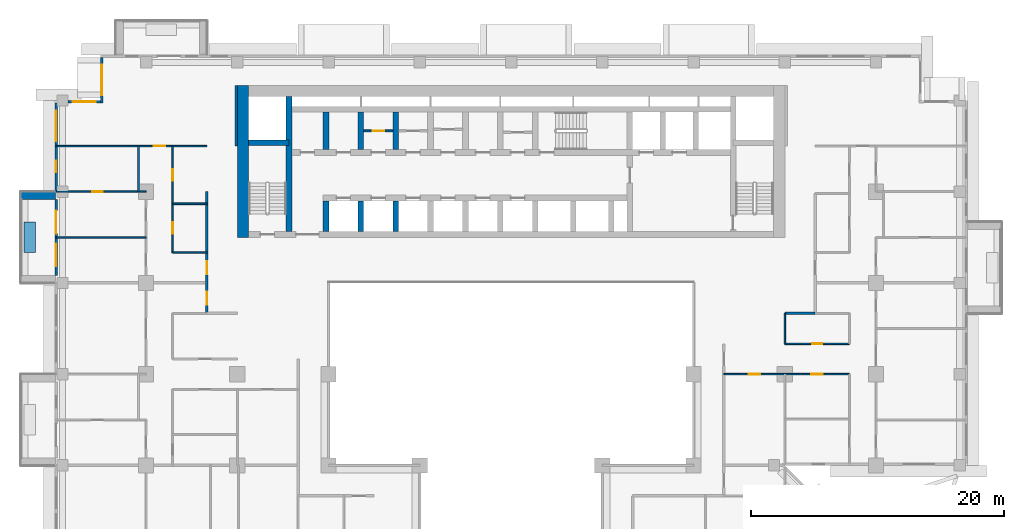
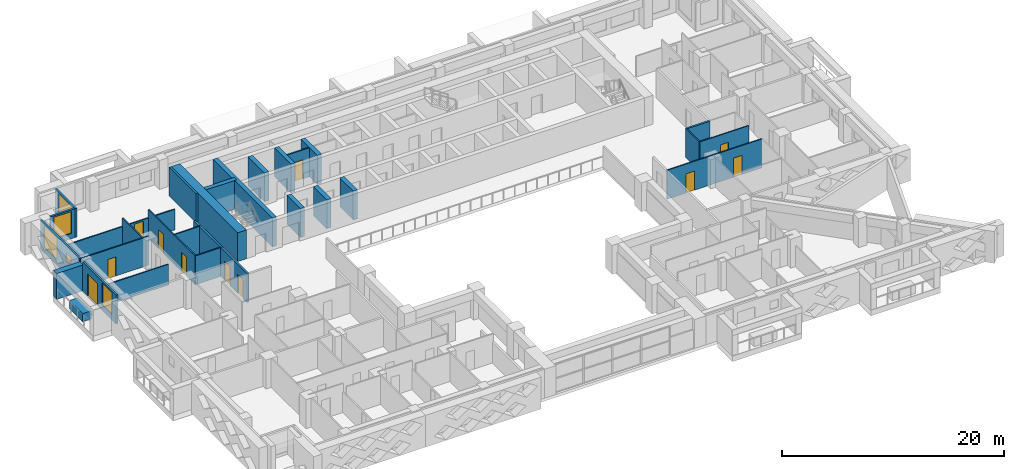
# One storey, part 9 of 17: 29 walls, 11 doors, 5 windows, 16 openings.
"""IFC4 building model written with IfcOpenShell, lengths in metres."""

from ifc_helpers import new_model, si_unit, direction, frame, frame_2d, origin, place, context, subcontext, project, spatial, rectangle, extrude, material, layer, layer_set, type_object, element, fill, save


model = new_model("IFC4")

# Units and contexts
model_context = context("Model", 3, precision=1e-05, world=origin(), true_north=direction((0.0, 1.0)))
body_context = subcontext(model_context, "Body", "Model", "MODEL_VIEW")
ifc_project = project(units=[si_unit("LENGTHUNIT", "METRE"), si_unit("AREAUNIT", "SQUARE_METRE"), si_unit("VOLUMEUNIT", "CUBIC_METRE"), si_unit("PLANEANGLEUNIT", "RADIAN"), si_unit("MASSUNIT", "GRAM", prefix="KILO")], contexts=[model_context])

# Site, building, storey
site_placement = place(None, origin())
site = spatial("IfcSite", under=ifc_project, at=site_placement, CompositionType="ELEMENT")
building_placement = place(site_placement, origin())
building = spatial("IfcBuilding", under=site, at=building_placement, Name="Saffron Iwan Residences", CompositionType="ELEMENT")
storey_placement = place(building_placement, frame((0.0, 0.0, 100.5)))
storey = spatial("IfcBuildingStorey", under=building, at=storey_placement, Name="L26", CompositionType="ELEMENT", Elevation=100.5)

# Walls
ifc_material_1 = material(Name="Concrete C50/60 white painted", Category="concrete")
ifc_layer_1 = layer(ifc_material_1, 0.60009765625)
ifc_layer_set_1 = layer_set([ifc_layer_1], Name="Concrete C50/60 white painted")
wall_type_1 = type_object("IfcWallType", Name="BALCONY FIN 600", PredefinedType="SOLIDWALL", material=ifc_layer_set_1)
wall_1_placement = place(storey_placement, frame((14.449951171875, 69.300048828125, 0.0), z_axis=(0.0, 0.0, 1.0), x_axis=(-1.0, 0.0, 0.0)))
element("IfcWall", 1, at=wall_1_placement, inside=storey, type_object=wall_type_1, Name="Balcony fin L26 F8-0a", PredefinedType="SOLIDWALL", context=body_context, shape_type="SweptSolid", body=[
    extrude(rectangle(XDim=2.75, YDim=0.60009765625, at=frame_2d((1.375, 0.0))), origin(), (0.0, 0.0, 1.0), 2.85009765625),
])
ifc_material_2 = material(Name="Concrete C35/45 white painted", Category="concrete")
ifc_layer_2 = layer(ifc_material_2, 0.14990234375)
ifc_layer_set_2 = layer_set([ifc_layer_2], Name="Concrete C35/45 white painted")
wall_type_2 = type_object("IfcWallType", Name="BALCONY PLANTER", PredefinedType="SOLIDWALL", material=ifc_layer_set_2)
wall_2_placement = place(storey_placement, frame((12.425048828125, 67.199951171875, 0.0), z_axis=(0.0, 0.0, 1.0), x_axis=(0.0, -1.0, 0.0)))
element("IfcWall", 2, at=wall_2_placement, inside=storey, type_object=wall_type_2, Name="PLANTER L26 F8-0", PredefinedType="SOLIDWALL", context=body_context, shape_type="SweptSolid", body=[
    extrude(rectangle(XDim=2.39990234375, YDim=0.89990234375, at=frame_2d((1.199951171875, 0.0))), origin(), (0.0, 0.0, 1.0), 0.89990234375),
])

# Wall, opening, door
ifc_material_3 = material(Name="Fire-rated plasterboard partition")
ifc_layer_3 = layer(ifc_material_3, 0.14990234375)
ifc_layer_set_3 = layer_set([ifc_layer_3], Name="Fire-rated plasterboard partition")
wall_type_3 = type_object("IfcWallType", Name="Core partition 150", PredefinedType="PARTITIONING", material=ifc_layer_set_3)
wall_3_placement = place(storey_placement, frame((38.77490234375, 74.39990234375, 0.0), z_axis=(0.0, 0.0, 1.0), x_axis=(1.0, 0.0, 0.0)))
wall_3 = element("IfcWall", 3, at=wall_3_placement, inside=storey, type_object=wall_type_3, Name="Core partition P01", PredefinedType="PARTITIONING", context=body_context, shape_type="SweptSolid", body=[
    extrude(rectangle(XDim=2.300048828125, YDim=0.14990234375, at=frame_2d((1.14990234375, 0.0))), origin(), (0.0, 0.0, 1.0), 3.179931640625),
])
opening_1_placement = place(wall_3_placement, frame((0.699951171875, 0.0, 0.0)))
opening_1 = element("IfcOpeningElement", 4, at=opening_1_placement, cuts=wall_3, Name="Opening SB", PredefinedType="OPENING", context=body_context, shape_type="SweptSolid", body=[
    extrude(rectangle(XDim=0.89990234375, YDim=2.10009765625, at=frame_2d((0.449951171875, 1.050048828125))), frame((0.0, 0.0849609375, 0.0), z_axis=(0.0, -1.0, 0.0), x_axis=(1.0, 0.0, 0.0)), (0.0, 0.0, 1.0), 0.169921875),
])
ifc_material_4 = material(Name="Steel fire door", Category="steel")
door_type_1 = type_object("IfcDoorType", Name="Store door 900", OperationType="NOTDEFINED", PredefinedType="DOOR", material=ifc_material_4)
door_1_placement = place(opening_1_placement, origin())
door_1 = element("IfcDoor", 5, at=door_1_placement, inside=storey, type_object=door_type_1, Name="Door Records store", OperationType="SINGLE_SWING_RIGHT", OverallHeight=2.10009765625, OverallWidth=0.89990234375, PredefinedType="DOOR", context=body_context, shape_type="SweptSolid", body=[
    extrude(rectangle(XDim=0.89990234375, YDim=2.10009765625, at=frame_2d((0.449951171875, 1.050048828125))), frame((0.0, 0.02490234375, 0.0), z_axis=(0.0, -1.0, 0.0), x_axis=(1.0, 0.0, 0.0)), (0.0, 0.0, 1.0), 0.050048828125),
])
fill(opening_1, door_1)

# Wall, opening, window
ifc_material_5 = material(Name="Concrete C40/50", Category="concrete")
ifc_layer_4 = layer(ifc_material_5, 0.199951171875)
ifc_layer_set_4 = layer_set([ifc_layer_4], Name="Concrete C40/50")
wall_type_4 = type_object("IfcWallType", Name="EXTERNAL WALL 200", PredefinedType="SOLIDWALL", material=ifc_layer_set_4)
wall_4_placement = place(storey_placement, frame((18.10009765625, 80.199951171875, 0.0), z_axis=(0.0, 0.0, 1.0), x_axis=(0.0, -1.0, 0.0)))
wall_4 = element("IfcWall", 6, at=wall_4_placement, inside=storey, type_object=wall_type_4, Name="External wall L26 F6.0", PredefinedType="SOLIDWALL", context=body_context, shape_type="SweptSolid", body=[
    extrude(rectangle(XDim=3.599853515625, YDim=0.199951171875, at=frame_2d((1.7998046875, 0.0))), origin(), (0.0, 0.0, 1.0), 3.179931640625),
])
opening_2_placement = place(wall_4_placement, frame((0.60009765625, 0.0, 0.60009765625)))
opening_2 = element("IfcOpeningElement", 7, at=opening_2_placement, cuts=wall_4, Name="Opening W1", PredefinedType="OPENING", context=body_context, shape_type="SweptSolid", body=[
    extrude(rectangle(XDim=2.39990234375, YDim=2.39990234375, at=frame_2d((1.199951171875, 1.199951171875))), frame((0.0, 0.10986328125, 0.0), z_axis=(0.0, -1.0, 0.0), x_axis=(1.0, 0.0, 0.0)), (0.0, 0.0, 1.0), 0.219970703125),
])
ifc_material_6 = material(Name="Clear glass, laminated double glazed", Category="glass")
window_type_1 = type_object("IfcWindowType", Name="WINDOW 2400 x 2400", PartitioningType="DOUBLE_PANEL_VERTICAL", PredefinedType="WINDOW", material=ifc_material_6)
window_1_placement = place(opening_2_placement, origin())
window_1 = element("IfcWindow", 8, at=window_1_placement, inside=storey, type_object=window_type_1, Name="Window L26 F6.0", OverallHeight=2.39990234375, OverallWidth=2.39990234375, PartitioningType="DOUBLE_PANEL_VERTICAL", PredefinedType="WINDOW", context=body_context, shape_type="SweptSolid", body=[
    extrude(rectangle(XDim=2.39990234375, YDim=2.39990234375, at=frame_2d((1.199951171875, 1.199951171875))), frame((0.0, 0.030029296875, 0.0), z_axis=(0.0, -1.0, 0.0), x_axis=(1.0, 0.0, 0.0)), (0.0, 0.0, 1.0), 0.06005859375),
])
fill(opening_2, window_1)

wall_5_placement = place(storey_placement, frame((18.0, 76.699951171875, 0.0), z_axis=(0.0, 0.0, 1.0), x_axis=(-1.0, 0.0, 0.0)))
wall_5 = element("IfcWall", 9, at=wall_5_placement, inside=storey, type_object=wall_type_4, Name="External wall L26 F7.0", PredefinedType="SOLIDWALL", context=body_context, shape_type="SweptSolid", body=[
    extrude(rectangle(XDim=2.550048828125, YDim=0.199951171875, at=frame_2d((1.27490234375, 0.0))), origin(), (0.0, 0.0, 1.0), 3.179931640625),
])
opening_3_placement = place(wall_5_placement, frame((0.375, 0.0, 0.60009765625)))
opening_3 = element("IfcOpeningElement", 10, at=opening_3_placement, cuts=wall_5, Name="Opening W8", PredefinedType="OPENING", context=body_context, shape_type="SweptSolid", body=[
    extrude(rectangle(XDim=1.800048828125, YDim=2.39990234375, at=frame_2d((0.89990234375, 1.199951171875))), frame((0.0, 0.10986328125, 0.0), z_axis=(0.0, -1.0, 0.0), x_axis=(1.0, 0.0, 0.0)), (0.0, 0.0, 1.0), 0.219970703125),
])
window_type_2 = type_object("IfcWindowType", Name="WINDOW 1800 x 2400", PartitioningType="DOUBLE_PANEL_VERTICAL", PredefinedType="WINDOW", material=ifc_material_6)
window_2_placement = place(opening_3_placement, origin())
window_2 = element("IfcWindow", 11, at=window_2_placement, inside=storey, type_object=window_type_2, Name="Window L26 F7.0", OverallHeight=2.39990234375, OverallWidth=1.800048828125, PartitioningType="DOUBLE_PANEL_VERTICAL", PredefinedType="WINDOW", context=body_context, shape_type="SweptSolid", body=[
    extrude(rectangle(XDim=1.800048828125, YDim=2.39990234375, at=frame_2d((0.89990234375, 1.199951171875))), frame((0.0, 0.030029296875, 0.0), z_axis=(0.0, -1.0, 0.0), x_axis=(1.0, 0.0, 0.0)), (0.0, 0.0, 1.0), 0.06005859375),
])
fill(opening_3, window_2)

# Wall, openings, windows
wall_6_placement = place(storey_placement, frame((14.5, 76.60009765625, 0.0), z_axis=(0.0, 0.0, 1.0), x_axis=(0.0, -1.0, 0.0)))
wall_6 = element("IfcWall", 12, at=wall_6_placement, inside=storey, type_object=wall_type_4, Name="External wall L26 F8.0", PredefinedType="SOLIDWALL", context=body_context, shape_type="SweptSolid", body=[
    extrude(rectangle(XDim=7.0, YDim=0.199951171875, at=frame_2d((3.5, 0.0))), origin(), (0.0, 0.0, 1.0), 3.179931640625),
])
opening_4_placement = place(wall_6_placement, frame((4.550048828125, 0.0, 1.5)))
opening_4 = element("IfcOpeningElement", 13, at=opening_4_placement, cuts=wall_6, Name="Opening W6", PredefinedType="OPENING", context=body_context, shape_type="SweptSolid", body=[
    extrude(rectangle(XDim=0.89990234375, YDim=0.89990234375, at=frame_2d((0.449951171875, 0.449951171875))), frame((0.0, 0.10986328125, 0.0), z_axis=(0.0, -1.0, 0.0), x_axis=(1.0, 0.0, 0.0)), (0.0, 0.0, 1.0), 0.219970703125),
])
opening_5_placement = place(wall_6_placement, frame((0.60009765625, 0.0, 0.60009765625)))
opening_5 = element("IfcOpeningElement", 14, at=opening_5_placement, cuts=wall_6, Name="Opening W1", PredefinedType="OPENING", context=body_context, shape_type="SweptSolid", body=[
    extrude(rectangle(XDim=2.39990234375, YDim=2.39990234375, at=frame_2d((1.199951171875, 1.199951171875))), frame((0.0, 0.10986328125, 0.0), z_axis=(0.0, -1.0, 0.0), x_axis=(1.0, 0.0, 0.0)), (0.0, 0.0, 1.0), 0.219970703125),
])
window_3_placement = place(opening_5_placement, origin())
window_3 = element("IfcWindow", 15, at=window_3_placement, inside=storey, type_object=window_type_1, Name="Window L26 F8.1", OverallHeight=2.39990234375, OverallWidth=2.39990234375, PartitioningType="DOUBLE_PANEL_VERTICAL", PredefinedType="WINDOW", context=body_context, shape_type="SweptSolid", body=[
    extrude(rectangle(XDim=2.39990234375, YDim=2.39990234375, at=frame_2d((1.199951171875, 1.199951171875))), frame((0.0, 0.030029296875, 0.0), z_axis=(0.0, -1.0, 0.0), x_axis=(1.0, 0.0, 0.0)), (0.0, 0.0, 1.0), 0.06005859375),
])
fill(opening_5, window_3)
window_type_3 = type_object("IfcWindowType", Name="WINDOW 900 x 900 BATH", PartitioningType="SINGLE_PANEL", PredefinedType="WINDOW", material=ifc_material_6)
window_4_placement = place(opening_4_placement, origin())
window_4 = element("IfcWindow", 16, at=window_4_placement, inside=storey, type_object=window_type_3, Name="Window L26 F8.0", OverallHeight=0.89990234375, OverallWidth=0.89990234375, PartitioningType="SINGLE_PANEL", PredefinedType="WINDOW", context=body_context, shape_type="SweptSolid", body=[
    extrude(rectangle(XDim=0.89990234375, YDim=0.89990234375, at=frame_2d((0.449951171875, 0.449951171875))), frame((0.0, 0.030029296875, 0.0), z_axis=(0.0, -1.0, 0.0), x_axis=(1.0, 0.0, 0.0)), (0.0, 0.0, 1.0), 0.06005859375),
])
fill(opening_4, window_4)

# Wall, openings, door, window
wall_7_placement = place(storey_placement, frame((14.5, 69.0, 0.0), z_axis=(0.0, 0.0, 1.0), x_axis=(0.0, -1.0, 0.0)))
wall_7 = element("IfcWall", 17, at=wall_7_placement, inside=storey, type_object=wall_type_4, Name="External wall L26 F8.1", PredefinedType="SOLIDWALL", context=body_context, shape_type="SweptSolid", body=[
    extrude(rectangle(XDim=6.0, YDim=0.199951171875, at=frame_2d((3.0, 0.0))), origin(), (0.0, 0.0, 1.0), 3.179931640625),
])
opening_6_placement = place(wall_7_placement, frame((0.89990234375, 0.0, 0.0)))
opening_6 = element("IfcOpeningElement", 18, at=opening_6_placement, cuts=wall_7, Name="Opening BD1", PredefinedType="OPENING", context=body_context, shape_type="SweptSolid", body=[
    extrude(rectangle(XDim=1.800048828125, YDim=2.39990234375, at=frame_2d((0.89990234375, 1.199951171875))), frame((0.0, 0.10986328125, 0.0), z_axis=(0.0, -1.0, 0.0), x_axis=(1.0, 0.0, 0.0)), (0.0, 0.0, 1.0), 0.219970703125),
])
opening_7_placement = place(wall_7_placement, frame((3.5, 0.0, 0.60009765625)))
opening_7 = element("IfcOpeningElement", 19, at=opening_7_placement, cuts=wall_7, Name="Opening W8", PredefinedType="OPENING", context=body_context, shape_type="SweptSolid", body=[
    extrude(rectangle(XDim=1.800048828125, YDim=2.39990234375, at=frame_2d((0.89990234375, 1.199951171875))), frame((0.0, 0.10986328125, 0.0), z_axis=(0.0, -1.0, 0.0), x_axis=(1.0, 0.0, 0.0)), (0.0, 0.0, 1.0), 0.219970703125),
])
door_type_2 = type_object("IfcDoorType", Name="BALCONY DOOR 1800 x 2400", OperationType="DOUBLE_DOOR_SLIDING", PredefinedType="DOOR", material=ifc_material_6)
door_2_placement = place(opening_6_placement, origin())
door_2 = element("IfcDoor", 20, at=door_2_placement, inside=storey, type_object=door_type_2, Name="Balcony door L26 F8.0", OperationType="DOUBLE_DOOR_SLIDING", OverallHeight=2.39990234375, OverallWidth=1.800048828125, PredefinedType="DOOR", context=body_context, shape_type="SweptSolid", body=[
    extrude(rectangle(XDim=1.800048828125, YDim=2.39990234375, at=frame_2d((0.89990234375, 1.199951171875))), frame((0.0, 0.02490234375, 0.0), z_axis=(0.0, -1.0, 0.0), x_axis=(1.0, 0.0, 0.0)), (0.0, 0.0, 1.0), 0.050048828125),
])
fill(opening_6, door_2)
window_5_placement = place(opening_7_placement, origin())
window_5 = element("IfcWindow", 21, at=window_5_placement, inside=storey, type_object=window_type_2, Name="Window L26 F8.1", OverallHeight=2.39990234375, OverallWidth=1.800048828125, PartitioningType="DOUBLE_PANEL_VERTICAL", PredefinedType="WINDOW", context=body_context, shape_type="SweptSolid", body=[
    extrude(rectangle(XDim=1.800048828125, YDim=2.39990234375, at=frame_2d((0.89990234375, 1.199951171875))), frame((0.0, 0.030029296875, 0.0), z_axis=(0.0, -1.0, 0.0), x_axis=(1.0, 0.0, 0.0)), (0.0, 0.0, 1.0), 0.06005859375),
])
fill(opening_7, window_5)

# Wall, openings, doors
ifc_material_7 = material(Name="Gypsum board partition")
ifc_layer_5 = layer(ifc_material_7, 0.1201171875)
ifc_layer_set_5 = layer_set([ifc_layer_5], Name="Gypsum board partition")
wall_type_5 = type_object("IfcWallType", Name="Flat partition 120", PredefinedType="PARTITIONING", material=ifc_layer_set_5)
wall_8_placement = place(storey_placement, frame((67.199951171875, 55.199951171875, 0.0), z_axis=(0.0, 0.0, 1.0), x_axis=(1.0, 0.0, 0.0)))
wall_8 = element("IfcWall", 22, at=wall_8_placement, inside=storey, type_object=wall_type_5, Name="W-L26-PART-h55.2-67.2", PredefinedType="PARTITIONING", context=body_context, shape_type="SweptSolid", body=[
    extrude(rectangle(XDim=9.900146484375, YDim=0.1201171875, at=frame_2d((4.9501953125, 0.0))), origin(), (0.0, 0.0, 1.0), 3.179931640625),
])
opening_8_placement = place(wall_8_placement, frame((6.89990234375, 0.0, 0.0)))
opening_8 = element("IfcOpeningElement", 23, at=opening_8_placement, cuts=wall_8, Name="Opening FD2", PredefinedType="OPENING", context=body_context, shape_type="SweptSolid", body=[
    extrude(rectangle(XDim=0.89990234375, YDim=2.10009765625, at=frame_2d((0.449951171875, 1.050048828125))), frame((0.0, 0.070068359375, 0.0), z_axis=(0.0, -1.0, 0.0), x_axis=(1.0, 0.0, 0.0)), (0.0, 0.0, 1.0), 0.14013671875),
])
opening_9_placement = place(wall_8_placement, frame((1.949951171875, 0.0, 0.0)))
opening_9 = element("IfcOpeningElement", 24, at=opening_9_placement, cuts=wall_8, Name="Opening FD2", PredefinedType="OPENING", context=body_context, shape_type="SweptSolid", body=[
    extrude(rectangle(XDim=0.89990234375, YDim=2.10009765625, at=frame_2d((0.449951171875, 1.050048828125))), frame((0.0, 0.070068359375, 0.0), z_axis=(0.0, -1.0, 0.0), x_axis=(1.0, 0.0, 0.0)), (0.0, 0.0, 1.0), 0.14013671875),
])
ifc_material_8 = material(Name="Timber door", Category="wood")
door_type_3 = type_object("IfcDoorType", Name="Flat door 900", OperationType="NOTDEFINED", PredefinedType="DOOR", material=ifc_material_8)
door_3_placement = place(opening_8_placement, origin())
door_3 = element("IfcDoor", 25, at=door_3_placement, inside=storey, type_object=door_type_3, Name="Door L26-025", OperationType="SINGLE_SWING_LEFT", OverallHeight=2.10009765625, OverallWidth=0.89990234375, PredefinedType="DOOR", context=body_context, shape_type="SweptSolid", body=[
    extrude(rectangle(XDim=0.89990234375, YDim=2.10009765625, at=frame_2d((0.449951171875, 1.050048828125))), frame((0.0, 0.02490234375, 0.0), z_axis=(0.0, -1.0, 0.0), x_axis=(1.0, 0.0, 0.0)), (0.0, 0.0, 1.0), 0.050048828125),
])
fill(opening_8, door_3)
door_4_placement = place(opening_9_placement, origin())
door_4 = element("IfcDoor", 26, at=door_4_placement, inside=storey, type_object=door_type_3, Name="Door L26-027", OperationType="SINGLE_SWING_LEFT", OverallHeight=2.10009765625, OverallWidth=0.89990234375, PredefinedType="DOOR", context=body_context, shape_type="SweptSolid", body=[
    extrude(rectangle(XDim=0.89990234375, YDim=2.10009765625, at=frame_2d((0.449951171875, 1.050048828125))), frame((0.0, 0.02490234375, 0.0), z_axis=(0.0, -1.0, 0.0), x_axis=(1.0, 0.0, 0.0)), (0.0, 0.0, 1.0), 0.050048828125),
])
fill(opening_9, door_4)

# Wall, opening, door
wall_9_placement = place(storey_placement, frame((72.0, 57.60009765625, 0.0), z_axis=(0.0, 0.0, 1.0), x_axis=(1.0, 0.0, 0.0)))
wall_9 = element("IfcWall", 27, at=wall_9_placement, inside=storey, type_object=wall_type_5, Name="W-L26-PART-h57.6-72", PredefinedType="PARTITIONING", context=body_context, shape_type="SweptSolid", body=[
    extrude(rectangle(XDim=5.10009765625, YDim=0.1201171875, at=frame_2d((2.550048828125, 0.0))), origin(), (0.0, 0.0, 1.0), 3.179931640625),
])
opening_10_placement = place(wall_9_placement, frame((2.14990234375, 0.0, 0.0)))
opening_10 = element("IfcOpeningElement", 28, at=opening_10_placement, cuts=wall_9, Name="Opening FD3", PredefinedType="OPENING", context=body_context, shape_type="SweptSolid", body=[
    extrude(rectangle(XDim=0.800048828125, YDim=2.10009765625, at=frame_2d((0.39990234375, 1.050048828125))), frame((0.0, 0.070068359375, 0.0), z_axis=(0.0, -1.0, 0.0), x_axis=(1.0, 0.0, 0.0)), (0.0, 0.0, 1.0), 0.14013671875),
])
door_type_4 = type_object("IfcDoorType", Name="Bathroom door 800", OperationType="NOTDEFINED", PredefinedType="DOOR", material=ifc_material_8)
door_5_placement = place(opening_10_placement, origin())
door_5 = element("IfcDoor", 29, at=door_5_placement, inside=storey, type_object=door_type_4, Name="Door L26-026", OperationType="SINGLE_SWING_RIGHT", OverallHeight=2.10009765625, OverallWidth=0.800048828125, PredefinedType="DOOR", context=body_context, shape_type="SweptSolid", body=[
    extrude(rectangle(XDim=0.800048828125, YDim=2.10009765625, at=frame_2d((0.39990234375, 1.050048828125))), frame((0.0, 0.02490234375, 0.0), z_axis=(0.0, -1.0, 0.0), x_axis=(1.0, 0.0, 0.0)), (0.0, 0.0, 1.0), 0.050048828125),
])
fill(opening_10, door_5)

# Walls
wall_10_placement = place(storey_placement, frame((23.699951171875, 64.800048828125, 0.0), z_axis=(0.0, 0.0, 1.0), x_axis=(1.0, 0.0, 0.0)))
element("IfcWall", 30, at=wall_10_placement, inside=storey, type_object=wall_type_5, Name="W-L26-PART-h64.8-23.7", PredefinedType="PARTITIONING", context=body_context, shape_type="SweptSolid", body=[
    extrude(rectangle(XDim=2.699951171875, YDim=0.1201171875, at=frame_2d((1.35009765625, 0.0))), origin(), (0.0, 0.0, 1.0), 3.179931640625),
])
wall_11_placement = place(storey_placement, frame((14.52490234375, 66.0, 0.0), z_axis=(0.0, 0.0, 1.0), x_axis=(1.0, 0.0, 0.0)))
element("IfcWall", 31, at=wall_11_placement, inside=storey, type_object=wall_type_5, Name="W-L26-PART-h66-14.525", PredefinedType="PARTITIONING", context=body_context, shape_type="SweptSolid", body=[
    extrude(rectangle(XDim=7.0751953125, YDim=0.1201171875, at=frame_2d((3.53759765625, 0.0))), origin(), (0.0, 0.0, 1.0), 2.280029296875),
])
wall_12_placement = place(storey_placement, frame((23.699951171875, 68.64990234375, 0.0), z_axis=(0.0, 0.0, 1.0), x_axis=(1.0, 0.0, 0.0)))
element("IfcWall", 32, at=wall_12_placement, inside=storey, type_object=wall_type_5, Name="W-L26-PART-h68.65-23.7", PredefinedType="PARTITIONING", context=body_context, shape_type="SweptSolid", body=[
    extrude(rectangle(XDim=2.699951171875, YDim=0.1201171875, at=frame_2d((1.35009765625, 0.0))), origin(), (0.0, 0.0, 1.0), 3.179931640625),
])

# Wall, opening, door
wall_13_placement = place(storey_placement, frame((14.52490234375, 69.60009765625, 0.0), z_axis=(0.0, 0.0, 1.0), x_axis=(1.0, 0.0, 0.0)))
wall_13 = element("IfcWall", 33, at=wall_13_placement, inside=storey, type_object=wall_type_5, Name="W-L26-PART-h69.6-14.525", PredefinedType="PARTITIONING", context=body_context, shape_type="SweptSolid", body=[
    extrude(rectangle(XDim=7.0751953125, YDim=0.1201171875, at=frame_2d((3.53759765625, 0.0))), origin(), (0.0, 0.0, 1.0), 3.179931640625),
])
opening_11_placement = place(wall_13_placement, frame((2.83740234375, 0.0, 0.0)))
opening_11 = element("IfcOpeningElement", 34, at=opening_11_placement, cuts=wall_13, Name="Opening FD3", PredefinedType="OPENING", context=body_context, shape_type="SweptSolid", body=[
    extrude(rectangle(XDim=0.800048828125, YDim=2.10009765625, at=frame_2d((0.39990234375, 1.050048828125))), frame((0.0, 0.070068359375, 0.0), z_axis=(0.0, -1.0, 0.0), x_axis=(1.0, 0.0, 0.0)), (0.0, 0.0, 1.0), 0.14013671875),
])
door_6_placement = place(opening_11_placement, origin())
door_6 = element("IfcDoor", 35, at=door_6_placement, inside=storey, type_object=door_type_4, Name="Door L26-031", OperationType="SINGLE_SWING_LEFT", OverallHeight=2.10009765625, OverallWidth=0.800048828125, PredefinedType="DOOR", context=body_context, shape_type="SweptSolid", body=[
    extrude(rectangle(XDim=0.800048828125, YDim=2.10009765625, at=frame_2d((0.39990234375, 1.050048828125))), frame((0.0, 0.02490234375, 0.0), z_axis=(0.0, -1.0, 0.0), x_axis=(1.0, 0.0, 0.0)), (0.0, 0.0, 1.0), 0.050048828125),
])
fill(opening_11, door_6)

wall_14_placement = place(storey_placement, frame((14.52490234375, 73.199951171875, 0.0), z_axis=(0.0, 0.0, 1.0), x_axis=(1.0, 0.0, 0.0)))
wall_14 = element("IfcWall", 36, at=wall_14_placement, inside=storey, type_object=wall_type_5, Name="W-L26-PART-h73.2-14.525", PredefinedType="PARTITIONING", context=body_context, shape_type="SweptSolid", body=[
    extrude(rectangle(XDim=11.875, YDim=0.1201171875, at=frame_2d((5.9375, 0.0))), origin(), (0.0, 0.0, 1.0), 2.280029296875),
])
opening_12_placement = place(wall_14_placement, frame((7.675048828125, 0.0, 0.0)))
opening_12 = element("IfcOpeningElement", 37, at=opening_12_placement, cuts=wall_14, Name="Opening FD2", PredefinedType="OPENING", context=body_context, shape_type="SweptSolid", body=[
    extrude(rectangle(XDim=0.89990234375, YDim=2.10009765625, at=frame_2d((0.449951171875, 1.050048828125))), frame((0.0, 0.070068359375, 0.0), z_axis=(0.0, -1.0, 0.0), x_axis=(1.0, 0.0, 0.0)), (0.0, 0.0, 1.0), 0.14013671875),
])
door_7_placement = place(opening_12_placement, origin())
door_7 = element("IfcDoor", 38, at=door_7_placement, inside=storey, type_object=door_type_3, Name="Door L26-032", OperationType="SINGLE_SWING_RIGHT", OverallHeight=2.10009765625, OverallWidth=0.89990234375, PredefinedType="DOOR", context=body_context, shape_type="SweptSolid", body=[
    extrude(rectangle(XDim=0.89990234375, YDim=2.10009765625, at=frame_2d((0.449951171875, 1.050048828125))), frame((0.0, 0.02490234375, 0.0), z_axis=(0.0, -1.0, 0.0), x_axis=(1.0, 0.0, 0.0)), (0.0, 0.0, 1.0), 0.050048828125),
])
fill(opening_12, door_7)

# Wall
wall_15_placement = place(storey_placement, frame((21.0, 69.60009765625, 0.0), z_axis=(0.0, 0.0, 1.0), x_axis=(0.0, 1.0, 0.0)))
element("IfcWall", 39, at=wall_15_placement, inside=storey, type_object=wall_type_5, Name="W-L26-PART-v21-69.6", PredefinedType="PARTITIONING", context=body_context, shape_type="SweptSolid", body=[
    extrude(rectangle(XDim=3.599853515625, YDim=0.1201171875, at=frame_2d((1.7998046875, 0.0))), origin(), (0.0, 0.0, 1.0), 3.179931640625),
])

# Wall, openings, doors
wall_16_placement = place(storey_placement, frame((23.699951171875, 64.800048828125, 0.0), z_axis=(0.0, 0.0, 1.0), x_axis=(0.0, 1.0, 0.0)))
wall_16 = element("IfcWall", 40, at=wall_16_placement, inside=storey, type_object=wall_type_5, Name="W-L26-PART-v23.7-64.8", PredefinedType="PARTITIONING", context=body_context, shape_type="SweptSolid", body=[
    extrude(rectangle(XDim=8.39990234375, YDim=0.1201171875, at=frame_2d((4.199951171875, 0.0))), origin(), (0.0, 0.0, 1.0), 3.179931640625),
])
opening_13_placement = place(wall_16_placement, frame((1.47509765625, 0.0, 0.0)))
opening_13 = element("IfcOpeningElement", 41, at=opening_13_placement, cuts=wall_16, Name="Opening FD2", PredefinedType="OPENING", context=body_context, shape_type="SweptSolid", body=[
    extrude(rectangle(XDim=0.89990234375, YDim=2.10009765625, at=frame_2d((0.449951171875, 1.050048828125))), frame((0.0, 0.070068359375, 0.0), z_axis=(0.0, -1.0, 0.0), x_axis=(1.0, 0.0, 0.0)), (0.0, 0.0, 1.0), 0.14013671875),
])
opening_14_placement = place(wall_16_placement, frame((5.675048828125, 0.0, 0.0)))
opening_14 = element("IfcOpeningElement", 42, at=opening_14_placement, cuts=wall_16, Name="Opening FD2", PredefinedType="OPENING", context=body_context, shape_type="SweptSolid", body=[
    extrude(rectangle(XDim=0.89990234375, YDim=2.10009765625, at=frame_2d((0.449951171875, 1.050048828125))), frame((0.0, 0.070068359375, 0.0), z_axis=(0.0, -1.0, 0.0), x_axis=(1.0, 0.0, 0.0)), (0.0, 0.0, 1.0), 0.14013671875),
])
door_8_placement = place(opening_13_placement, origin())
door_8 = element("IfcDoor", 43, at=door_8_placement, inside=storey, type_object=door_type_3, Name="Door L26-033", OperationType="SINGLE_SWING_LEFT", OverallHeight=2.10009765625, OverallWidth=0.89990234375, PredefinedType="DOOR", context=body_context, shape_type="SweptSolid", body=[
    extrude(rectangle(XDim=0.89990234375, YDim=2.10009765625, at=frame_2d((0.449951171875, 1.050048828125))), frame((0.0, 0.02490234375, 0.0), z_axis=(0.0, -1.0, 0.0), x_axis=(1.0, 0.0, 0.0)), (0.0, 0.0, 1.0), 0.050048828125),
])
fill(opening_13, door_8)
door_9_placement = place(opening_14_placement, origin())
door_9 = element("IfcDoor", 44, at=door_9_placement, inside=storey, type_object=door_type_3, Name="Door L26-034", OperationType="SINGLE_SWING_LEFT", OverallHeight=2.10009765625, OverallWidth=0.89990234375, PredefinedType="DOOR", context=body_context, shape_type="SweptSolid", body=[
    extrude(rectangle(XDim=0.89990234375, YDim=2.10009765625, at=frame_2d((0.449951171875, 1.050048828125))), frame((0.0, 0.02490234375, 0.0), z_axis=(0.0, -1.0, 0.0), x_axis=(1.0, 0.0, 0.0)), (0.0, 0.0, 1.0), 0.050048828125),
])
fill(opening_14, door_9)

# Walls
wall_17_placement = place(storey_placement, frame((72.0, 57.60009765625, 0.0), z_axis=(0.0, 0.0, 1.0), x_axis=(0.0, 1.0, 0.0)))
element("IfcWall", 45, at=wall_17_placement, inside=storey, type_object=wall_type_5, Name="W-L26-PART-v72-57.6", PredefinedType="PARTITIONING", context=body_context, shape_type="SweptSolid", body=[
    extrude(rectangle(XDim=2.39990234375, YDim=0.1201171875, at=frame_2d((1.199951171875, 0.0))), origin(), (0.0, 0.0, 1.0), 3.179931640625),
])
ifc_material_9 = material(Name="Fire-rated gypsum board wall")
ifc_layer_6 = layer(ifc_material_9, 0.199951171875)
ifc_layer_set_6 = layer_set([ifc_layer_6], Name="Fire-rated gypsum board wall")
wall_type_6 = type_object("IfcWallType", Name="Gallery wall 200", PredefinedType="SOLIDWALL", material=ifc_layer_set_6)
wall_18_placement = place(storey_placement, frame((72.0, 60.0, 0.0), z_axis=(0.0, 0.0, 1.0), x_axis=(1.0, 0.0, 0.0)))
element("IfcWall", 46, at=wall_18_placement, inside=storey, type_object=wall_type_6, Name="W-L26-CORR-h60-72", PredefinedType="SOLIDWALL", context=body_context, shape_type="SweptSolid", body=[
    extrude(rectangle(XDim=2.39990234375, YDim=0.199951171875, at=frame_2d((1.199951171875, 0.0))), origin(), (0.0, 0.0, 1.0), 3.179931640625),
])

# Wall, openings, doors
wall_19_placement = place(storey_placement, frame((26.39990234375, 60.0, 0.0), z_axis=(0.0, 0.0, 1.0), x_axis=(0.0, 1.0, 0.0)))
wall_19 = element("IfcWall", 47, at=wall_19_placement, inside=storey, type_object=wall_type_6, Name="W-L26-CORR-v26.4-60", PredefinedType="SOLIDWALL", context=body_context, shape_type="SweptSolid", body=[
    extrude(rectangle(XDim=9.60009765625, YDim=0.199951171875, at=frame_2d((4.800048828125, 0.0))), origin(), (0.0, 0.0, 1.0), 3.179931640625),
])
opening_15_placement = place(wall_19_placement, frame((0.699951171875, 0.0, 0.0)))
opening_15 = element("IfcOpeningElement", 48, at=opening_15_placement, cuts=wall_19, Name="Opening FD1", PredefinedType="OPENING", context=body_context, shape_type="SweptSolid", body=[
    extrude(rectangle(XDim=1.0, YDim=2.10009765625, at=frame_2d((0.5, 1.050048828125))), frame((0.0, 0.10986328125, 0.0), z_axis=(0.0, -1.0, 0.0), x_axis=(1.0, 0.0, 0.0)), (0.0, 0.0, 1.0), 0.219970703125),
])
opening_16_placement = place(wall_19_placement, frame((3.10009765625, 0.0, 0.0)))
opening_16 = element("IfcOpeningElement", 49, at=opening_16_placement, cuts=wall_19, Name="Opening FD1", PredefinedType="OPENING", context=body_context, shape_type="SweptSolid", body=[
    extrude(rectangle(XDim=1.0, YDim=2.10009765625, at=frame_2d((0.5, 1.050048828125))), frame((0.0, 0.10986328125, 0.0), z_axis=(0.0, -1.0, 0.0), x_axis=(1.0, 0.0, 0.0)), (0.0, 0.0, 1.0), 0.219970703125),
])
ifc_material_10 = material(Name="Fire-rated timber door", Category="wood")
door_type_5 = type_object("IfcDoorType", Name="FD30S flat entrance door 1000", OperationType="NOTDEFINED", PredefinedType="DOOR", material=ifc_material_10)
door_10_placement = place(opening_15_placement, origin())
door_10 = element("IfcDoor", 50, at=door_10_placement, inside=storey, type_object=door_type_5, Name="Door L26-012", OperationType="SINGLE_SWING_LEFT", OverallHeight=2.10009765625, OverallWidth=1.0, PredefinedType="DOOR", context=body_context, shape_type="SweptSolid", body=[
    extrude(rectangle(XDim=1.0, YDim=2.10009765625, at=frame_2d((0.5, 1.050048828125))), frame((0.0, 0.02490234375, 0.0), z_axis=(0.0, -1.0, 0.0), x_axis=(1.0, 0.0, 0.0)), (0.0, 0.0, 1.0), 0.050048828125),
])
fill(opening_15, door_10)
door_11_placement = place(opening_16_placement, origin())
door_11 = element("IfcDoor", 51, at=door_11_placement, inside=storey, type_object=door_type_5, Name="Door L26-028", OperationType="SINGLE_SWING_LEFT", OverallHeight=2.10009765625, OverallWidth=1.0, PredefinedType="DOOR", context=body_context, shape_type="SweptSolid", body=[
    extrude(rectangle(XDim=1.0, YDim=2.10009765625, at=frame_2d((0.5, 1.050048828125))), frame((0.0, 0.02490234375, 0.0), z_axis=(0.0, -1.0, 0.0), x_axis=(1.0, 0.0, 0.0)), (0.0, 0.0, 1.0), 0.050048828125),
])
fill(opening_16, door_11)

# Walls
wall_20_placement = place(storey_placement, frame((28.699951171875, 73.199951171875, 0.0), z_axis=(0.0, 0.0, 1.0), x_axis=(0.0, 1.0, 0.0)))
element("IfcWall", 52, at=wall_20_placement, inside=storey, type_object=wall_type_6, Name="W-L26-CORR-v28.8-73.2", PredefinedType="SOLIDWALL", context=body_context, shape_type="SweptSolid", body=[
    extrude(rectangle(XDim=4.800048828125, YDim=0.199951171875, at=frame_2d((2.39990234375, 0.0))), origin(), (0.0, 0.0, 1.0), 3.179931640625),
])
ifc_material_11 = material(Name="Concrete C60/75", Category="concrete")
ifc_layer_7 = layer(ifc_material_11, 0.449951171875)
ifc_layer_set_7 = layer_set([ifc_layer_7], Name="Concrete C60/75")
wall_type_7 = type_object("IfcWallType", Name="WALL CORE 450 C60/75 3180 HIGH", PredefinedType="SHEAR", material=ifc_layer_set_7)
wall_21_placement = place(storey_placement, frame((29.699951171875, 73.47509765625, 0.0), z_axis=(0.0, 0.0, 1.0), x_axis=(1.0, 0.0, 0.0)))
element("IfcWall", 53, at=wall_21_placement, inside=storey, type_object=wall_type_7, Name="Core wall", PredefinedType="SHEAR", context=body_context, shape_type="SweptSolid", body=[
    extrude(rectangle(XDim=3.175048828125, YDim=0.449951171875, at=frame_2d((1.58740234375, 0.0))), origin(), (0.0, 0.0, 1.0), 3.179931640625),
])
wall_22_placement = place(storey_placement, frame((32.875, 66.449951171875, 0.0), z_axis=(0.0, 0.0, 1.0), x_axis=(0.0, 1.0, 0.0)))
element("IfcWall", 54, at=wall_22_placement, inside=storey, type_object=wall_type_7, Name="Core wall", PredefinedType="SHEAR", context=body_context, shape_type="SweptSolid", body=[
    extrude(rectangle(XDim=10.650146484375, YDim=0.449951171875, at=frame_2d((5.3251953125, 0.0))), origin(), (0.0, 0.0, 1.0), 3.179931640625),
])
for number, where, z_axis, x_axis, name in (
    (55, (35.800048828125, 66.449951171875, 0.0), (0.0, 0.0, 1.0), (0.0, 1.0, 0.0), "Core wall"),
    (56, (38.550048828125, 66.449951171875, 0.0), (0.0, 0.0, 1.0), (0.0, 1.0, 0.0), "Core wall"),
    (57, (41.300048828125, 66.449951171875, 0.0), (0.0, 0.0, 1.0), (0.0, 1.0, 0.0), "Core wall"),
):
    element("IfcWall", number, at=place(storey_placement, frame(where, z_axis=z_axis, x_axis=x_axis)), inside=storey, type_object=wall_type_7, Name=name, PredefinedType="SHEAR", context=body_context, shape_type="SweptSolid", body=[
        extrude(rectangle(XDim=2.425048828125, YDim=0.449951171875, at=frame_2d((1.21240234375, 0.0))), origin(), (0.0, 0.0, 1.0), 3.179931640625),
    ])
for number, where, z_axis, x_axis, name in (
    (58, (35.800048828125, 72.925048828125, 0.0), (0.0, 0.0, 1.0), (0.0, 1.0, 0.0), "Core wall"),
    (59, (38.550048828125, 72.925048828125, 0.0), (0.0, 0.0, 1.0), (0.0, 1.0, 0.0), "Core wall"),
    (60, (41.300048828125, 72.925048828125, 0.0), (0.0, 0.0, 1.0), (0.0, 1.0, 0.0), "Core wall"),
):
    element("IfcWall", number, at=place(storey_placement, frame(where, z_axis=z_axis, x_axis=x_axis)), inside=storey, type_object=wall_type_7, Name=name, PredefinedType="SHEAR", context=body_context, shape_type="SweptSolid", body=[
        extrude(rectangle(XDim=2.949951171875, YDim=0.449951171875, at=frame_2d((1.47509765625, 0.0))), origin(), (0.0, 0.0, 1.0), 3.179931640625),
    ])
ifc_layer_8 = layer(ifc_material_11, 0.89990234375)
ifc_layer_set_8 = layer_set([ifc_layer_8], Name="Concrete C60/75")
wall_type_8 = type_object("IfcWallType", Name="WALL CORE 900 C60/75 3180 HIGH", PredefinedType="SHEAR", material=ifc_layer_set_8)
wall_23_placement = place(storey_placement, frame((29.25, 66.0, 0.0), z_axis=(0.0, 0.0, 1.0), x_axis=(0.0, 1.0, 0.0)))
element("IfcWall", 61, at=wall_23_placement, inside=storey, type_object=wall_type_8, Name="Core wall", PredefinedType="SHEAR", context=body_context, shape_type="SweptSolid", body=[
    extrude(rectangle(XDim=12.0, YDim=0.89990234375, at=frame_2d((6.0, 0.0))), origin(), (0.0, 0.0, 1.0), 3.179931640625),
])

save(model, "model.ifc")
